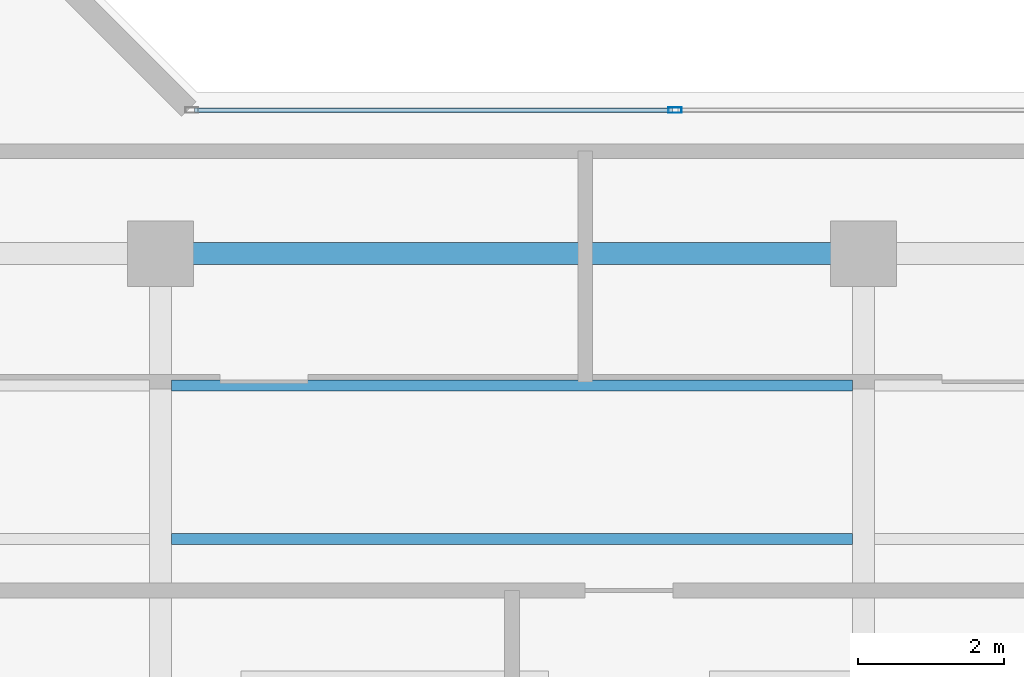
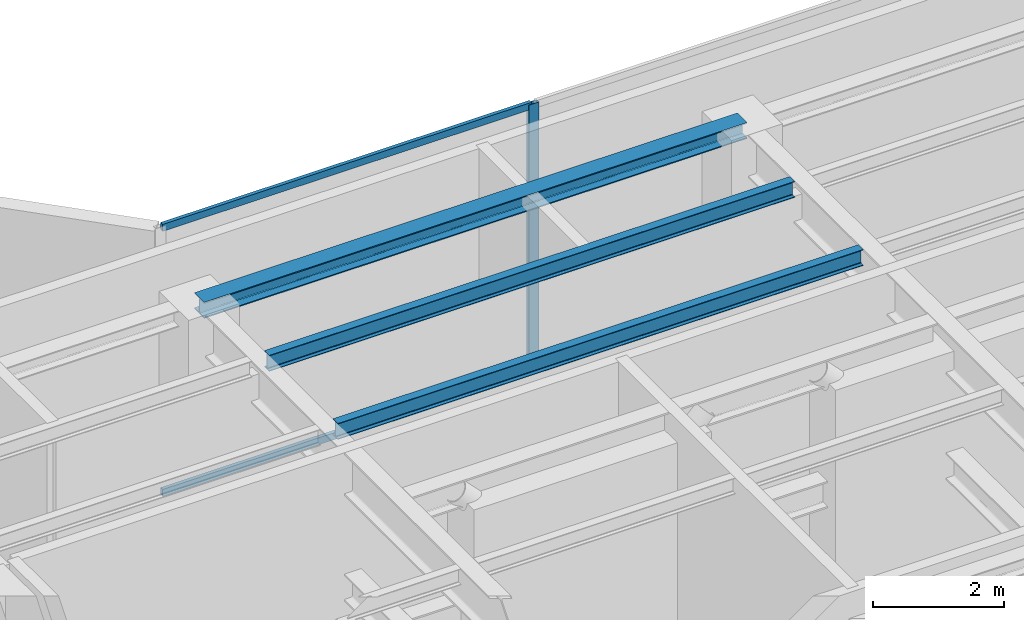
# One storey, part 9 of 29: 3 beams, 3 members, 1 element without a shape of its own.
"""IFC4 building model written with IfcOpenShell, lengths in metres."""

from ifc_helpers import new_model, si_unit, direction, frame, origin, origin_with_axes, origin_2d, place, context, subcontext, project, spatial, hollow_rectangle, i_section, extrude, source, transform, mapped, material, layer, layer_set, material_profile, profile_set, type_object, element, aggregate, save


model = new_model("IFC4")

# Units and contexts
model_context = context("Model", 3, precision=1e-05, world=origin(), true_north=direction((0.0, 1.0)))
body_context = subcontext(model_context, "Body", "Model", "MODEL_VIEW")
ifc_project = project(units=[si_unit("LENGTHUNIT", "METRE"), si_unit("AREAUNIT", "SQUARE_METRE"), si_unit("VOLUMEUNIT", "CUBIC_METRE"), si_unit("PLANEANGLEUNIT", "RADIAN"), si_unit("MASSUNIT", "GRAM", prefix="KILO")], contexts=[model_context])

# Site, building, storey
site_placement = place(None, origin())
site = spatial("IfcSite", under=ifc_project, at=site_placement, CompositionType="ELEMENT")
building_placement = place(site_placement, origin())
building = spatial("IfcBuilding", under=site, at=building_placement, Name="Kolvaren Waterfront Exchange", CompositionType="ELEMENT")
storey_placement = place(building_placement, frame((0.0, 0.0, 338.800048828125)))
storey = spatial("IfcBuildingStorey", under=building, at=storey_placement, Name="L87", CompositionType="ELEMENT", Elevation=338.800048828125)

# Beams
ifc_material_1 = material(Name="Steel S355", Category="steel")
ifc_material_profile_1 = material_profile(ifc_material_1, i_section(OverallWidth=0.300048828125, OverallDepth=0.300048828125, WebThickness=0.010986328125, FlangeThickness=0.01904296875, FilletRadius=0.027099609375, at=origin_2d()), Name="HEB300")
ifc_profile_set_1 = profile_set([ifc_material_profile_1], Name="Steel S355")
beam_type_1 = type_object("IfcBeamType", Name="STR-BM-HEB300", PredefinedType="SPANDREL", material=ifc_profile_set_1)
beam_placement = place(storey_placement, frame((27.199951171875, 17.39990234375, 4.869873046875), z_axis=(1.0, 0.0, 0.0), x_axis=(0.0, 1.0, 0.0)))
element("IfcBeam", 1, at=beam_placement, inside=storey, type_object=beam_type_1, Name="L87 east-arm spandrel N2", PredefinedType="SPANDREL", context=body_context, shape_type="SweptSolid", body=[
    extrude(i_section(OverallWidth=0.300048828125, OverallDepth=0.300048828125, WebThickness=0.010986328125, FlangeThickness=0.01904296875, FilletRadius=0.027099609375, at=origin_2d()), origin(), (0.0, 0.0, 1.0), 9.60009765625),
])
ifc_material_profile_2 = material_profile(ifc_material_1, i_section(OverallWidth=0.14990234375, OverallDepth=0.300048828125, WebThickness=0.007080078125, FlangeThickness=0.0107421875, FilletRadius=0.014892578125, at=origin_2d()), Name="IPE300")
ifc_profile_set_2 = profile_set([ifc_material_profile_2], Name="Steel S355")
beam_type_2 = type_object("IfcBeamType", Name="STR-BM-IPE300", PredefinedType="JOIST", material=ifc_profile_set_2)
for number, where, z_axis, x_axis, name in (
    (2, (27.35205078125, 13.5, 4.869873046875), (1.0, 0.0, 0.0), (0.0, 1.0, 0.0), "L87 east-arm composite joist 2A"),
    (3, (27.35205078125, 15.60009765625, 4.869873046875), (1.0, 0.0, 0.0), (0.0, 1.0, 0.0), "L87 east-arm composite joist 2C"),
):
    element("IfcBeam", number, at=place(storey_placement, frame(where, z_axis=z_axis, x_axis=x_axis)), inside=storey, type_object=beam_type_2, Name=name, PredefinedType="JOIST", context=body_context, shape_type="SweptSolid", body=[
        extrude(i_section(OverallWidth=0.14990234375, OverallDepth=0.300048828125, WebThickness=0.007080078125, FlangeThickness=0.0107421875, FilletRadius=0.014892578125, at=origin_2d()), origin(), (0.0, 0.0, 1.0), 9.2958984375),
    ])

# Curtain wall, members
ifc_material_2 = material(Name="Anodised dark bronze spandrel aluminium", Category="aluminium")
ifc_layer = layer(ifc_material_2, 0.219970703125, Name="Anodised dark bronze spandrel aluminium")
ifc_layer_set = layer_set([ifc_layer], Name="Anodised dark bronze spandrel aluminium")
curtain_wall_type = type_object("IfcCurtainWallType", Name="ARC-CW-SYS6", PredefinedType="USERDEFINED", material=ifc_layer_set)
curtain_wall_placement = place(storey_placement, origin())
curtain_wall = element("IfcCurtainWall", 4, at=curtain_wall_placement, inside=storey, type_object=curtain_wall_type, Name="L87 stick curtain wall CW6 (CW-L87-EN)", ObjectType="STICK CURTAIN WALL", PredefinedType="USERDEFINED")
ifc_material_3 = material(Name="Anodised bronze aluminium 6063-T6", Category="aluminium")
ifc_material_profile_3 = material_profile(ifc_material_3, hollow_rectangle(XDim=0.074951171875, YDim=0.179931640625, WallThickness=0.00439453125, at=origin_2d()), Name="ALU-MUL-180x75x4.5")
ifc_profile_set_3 = profile_set([ifc_material_profile_3], Name="Anodised bronze aluminium 6063-T6")
member_type_1 = type_object("IfcMemberType", Name="ARC-CWM-180", PredefinedType="MULLION", material=ifc_profile_set_3)
shared_shape_1 = source(origin_with_axes(), body_context, "Body", "SweptSolid", [
    extrude(hollow_rectangle(XDim=0.074951171875, YDim=0.179931640625, WallThickness=0.00439453125, at=origin_2d()), origin(), (0.0, 0.0, 1.0), 5.02001953125),
])
member_1_placement = place(storey_placement, frame((34.2265625, 19.360107421875, 0.0), z_axis=(0.0, 0.0, 1.0), x_axis=(0.0, 1.0, 0.0)))
member_1 = element("IfcMember", 5, at=member_1_placement, type_object=member_type_1, Name="CW6 mullion 2", PredefinedType="MULLION", context=body_context, shape_type="MappedRepresentation", body=[
    mapped(shared_shape_1, transform((0.0, 0.0, 0.0), x_axis=(1.0, 0.0, 0.0), y_axis=(0.0, 1.0, 0.0), z_axis=(0.0, 0.0, 1.0), scale=1.0)),
])
ifc_material_profile_4 = material_profile(ifc_material_3, hollow_rectangle(XDim=0.06494140625, YDim=0.1298828125, WallThickness=0.00390625, at=origin_2d()), Name="ALU-TRN-130x65x4")
ifc_profile_set_4 = profile_set([ifc_material_profile_4], Name="Anodised bronze aluminium 6063-T6")
member_type_2 = type_object("IfcMemberType", Name="ARC-CWT-130", PredefinedType="USERDEFINED", material=ifc_profile_set_4)
shared_shape_2 = source(origin_with_axes(), body_context, "Body", "SweptSolid", [
    extrude(hollow_rectangle(XDim=0.06494140625, YDim=0.1298828125, WallThickness=0.00390625, at=origin_2d()), origin(), (0.0, 0.0, 1.0), 6.524169921875),
])
member_2_placement = place(storey_placement, frame((27.6650390625, 19.360107421875, 0.032470703125), z_axis=(1.0, 0.0, 0.0), x_axis=(0.0, 1.0, 0.0)))
member_2 = element("IfcMember", 6, at=member_2_placement, type_object=member_type_2, Name="CW6 transom 1.1", ObjectType="TRANSOM", PredefinedType="USERDEFINED", context=body_context, shape_type="MappedRepresentation", body=[
    mapped(shared_shape_2, transform((0.0, 0.0, 0.0), x_axis=(1.0, 0.0, 0.0), y_axis=(0.0, 1.0, 0.0), z_axis=(0.0, 0.0, 1.0), scale=1.0)),
])
member_3_placement = place(storey_placement, frame((27.6650390625, 19.360107421875, 4.987548828125), z_axis=(1.0, 0.0, 0.0), x_axis=(0.0, 1.0, 0.0)))
member_3 = element("IfcMember", 7, at=member_3_placement, type_object=member_type_2, Name="CW6 transom 1.2", ObjectType="TRANSOM", PredefinedType="USERDEFINED", context=body_context, shape_type="MappedRepresentation", body=[
    mapped(shared_shape_2, transform((0.0, 0.0, 0.0), x_axis=(1.0, 0.0, 0.0), y_axis=(0.0, 1.0, 0.0), z_axis=(0.0, 0.0, 1.0), scale=1.0)),
])
aggregate(curtain_wall, [member_1, member_2, member_3])

save(model, "model.ifc")
